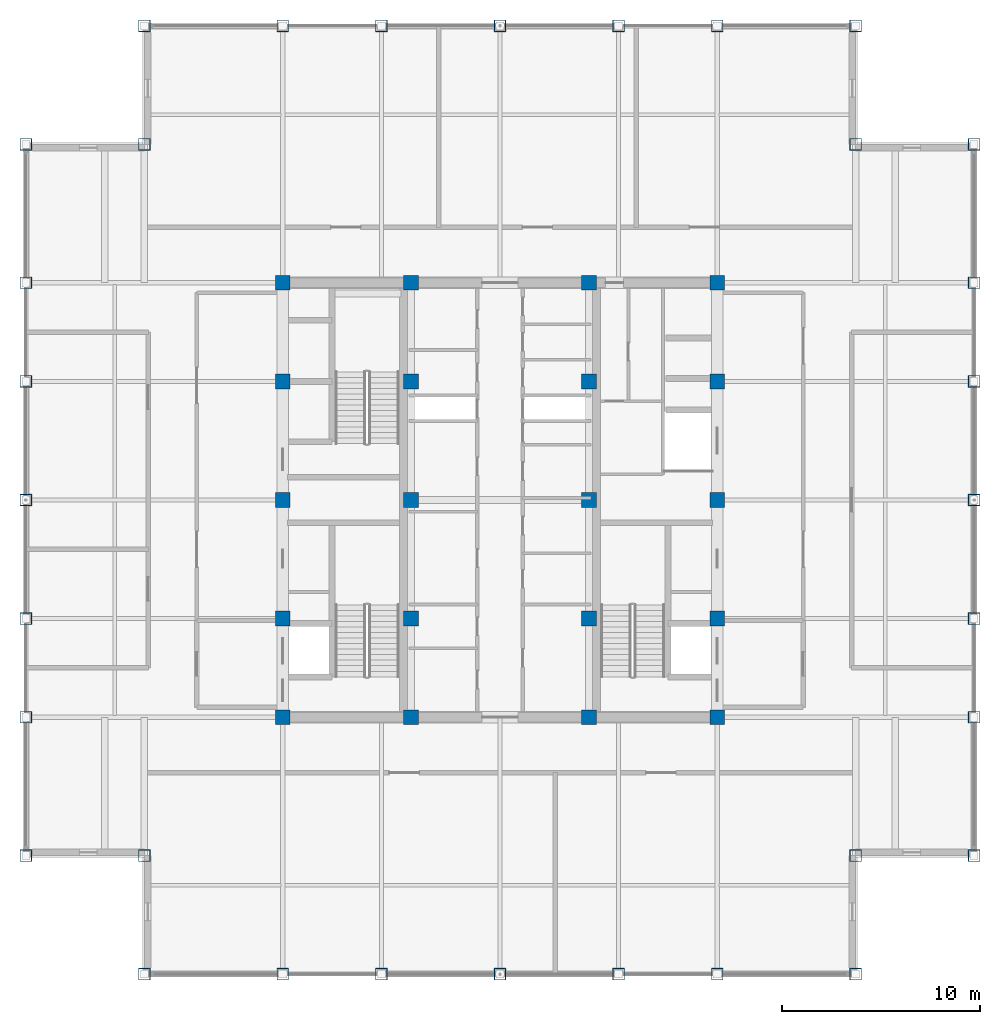
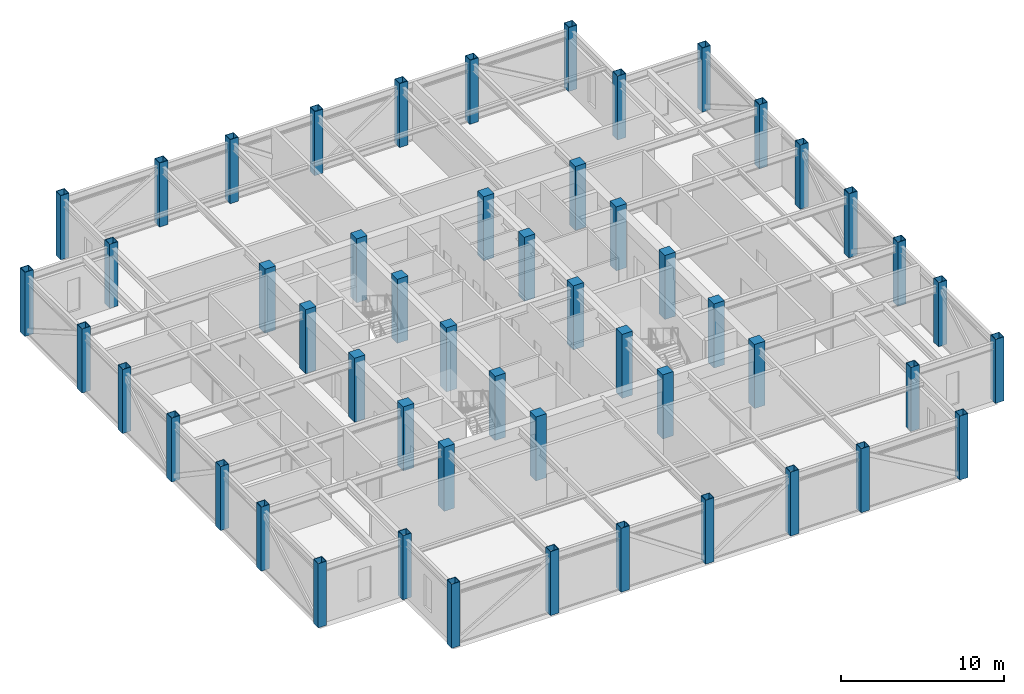
# One storey, part 1 of 27: 52 columns.
"""IFC4 building model written with IfcOpenShell, lengths in metres."""

from ifc_helpers import new_model, si_unit, direction, frame, origin, origin_2d, place, context, subcontext, project, spatial, rectangle, hollow_rectangle, extrude, source, transform, mapped, material, material_profile, profile_set, type_object, element, save


model = new_model("IFC4")

# Units and contexts
model_context = context("Model", 3, precision=1e-05, world=origin(), true_north=direction((0.0, 1.0)))
body_context = subcontext(model_context, "Body", "Model", "MODEL_VIEW")
ifc_project = project(units=[si_unit("LENGTHUNIT", "METRE"), si_unit("AREAUNIT", "SQUARE_METRE"), si_unit("VOLUMEUNIT", "CUBIC_METRE"), si_unit("PLANEANGLEUNIT", "RADIAN"), si_unit("MASSUNIT", "GRAM", prefix="KILO")], contexts=[model_context])

# Site, building, storey
site_placement = place(None, origin())
site = spatial("IfcSite", under=ifc_project, at=site_placement, CompositionType="ELEMENT")
building_placement = place(site_placement, origin())
building = spatial("IfcBuilding", under=site, at=building_placement, Name="Khorayat Bourse Tower", CompositionType="ELEMENT")
storey_placement = place(building_placement, frame((0.0, 0.0, 394.699951171875)))
storey = spatial("IfcBuildingStorey", under=building, at=storey_placement, Name="L93", CompositionType="ELEMENT", Elevation=394.699951171875)

# Columns
ifc_material_1 = material(Name="Concrete C52/65", Category="concrete")
ifc_material_profile_1 = material_profile(ifc_material_1, rectangle(XDim=0.75, YDim=0.75, at=origin_2d()), Name="RC 750x750")
ifc_profile_set_1 = profile_set([ifc_material_profile_1], Name="Concrete C52/65")
column_type_1 = type_object("IfcColumnType", Name="COL-CORE-750", PredefinedType="COLUMN", material=ifc_profile_set_1)
shared_shape_1 = source(origin(), body_context, "Body", "SweptSolid", [
    extrude(rectangle(XDim=0.75, YDim=0.75, at=origin_2d()), origin(), (0.0, 0.0, 1.0), 4.800048828125),
])
for number, where, z_axis, x_axis, name in (
    (1, (-11.0, -11.0, 0.0), (0.0, 0.0, 1.0), (1.0, 0.0, 0.0), "L93 Column 013"),
    (2, (-11.0, -6.0, 0.0), (0.0, 0.0, 1.0), (1.0, 0.0, 0.0), "L93 Column 014"),
    (3, (-11.0, 0.0, 0.0), (0.0, 0.0, 1.0), (1.0, 0.0, 0.0), "L93 Column 015"),
    (4, (-11.0, 6.0, 0.0), (0.0, 0.0, 1.0), (1.0, 0.0, 0.0), "L93 Column 016"),
    (5, (-11.0, 11.0, 0.0), (0.0, 0.0, 1.0), (1.0, 0.0, 0.0), "L93 Column 017"),
    (6, (-4.5, -11.0, 0.0), (0.0, 0.0, 1.0), (1.0, 0.0, 0.0), "L93 Column 021"),
    (7, (-4.5, -6.0, 0.0), (0.0, 0.0, 1.0), (1.0, 0.0, 0.0), "L93 Column 022"),
    (8, (-4.5, 0.0, 0.0), (0.0, 0.0, 1.0), (1.0, 0.0, 0.0), "L93 Column 023"),
    (9, (-4.5, 6.0, 0.0), (0.0, 0.0, 1.0), (1.0, 0.0, 0.0), "L93 Column 024"),
    (10, (-4.5, 11.0, 0.0), (0.0, 0.0, 1.0), (1.0, 0.0, 0.0), "L93 Column 025"),
    (11, (4.5, -11.0, 0.0), (0.0, 0.0, 1.0), (1.0, 0.0, 0.0), "L93 Column 028"),
    (12, (4.5, -6.0, 0.0), (0.0, 0.0, 1.0), (1.0, 0.0, 0.0), "L93 Column 029"),
    (13, (4.5, 0.0, 0.0), (0.0, 0.0, 1.0), (1.0, 0.0, 0.0), "L93 Column 030"),
    (14, (4.5, 6.0, 0.0), (0.0, 0.0, 1.0), (1.0, 0.0, 0.0), "L93 Column 031"),
    (15, (4.5, 11.0, 0.0), (0.0, 0.0, 1.0), (1.0, 0.0, 0.0), "L93 Column 032"),
    (16, (11.0, -11.0, 0.0), (0.0, 0.0, 1.0), (1.0, 0.0, 0.0), "L93 Column 036"),
    (17, (11.0, -6.0, 0.0), (0.0, 0.0, 1.0), (1.0, 0.0, 0.0), "L93 Column 037"),
    (18, (11.0, 0.0, 0.0), (0.0, 0.0, 1.0), (1.0, 0.0, 0.0), "L93 Column 038"),
    (19, (11.0, 6.0, 0.0), (0.0, 0.0, 1.0), (1.0, 0.0, 0.0), "L93 Column 039"),
    (20, (11.0, 11.0, 0.0), (0.0, 0.0, 1.0), (1.0, 0.0, 0.0), "L93 Column 040"),
):
    element("IfcColumn", number, at=place(storey_placement, frame(where, z_axis=z_axis, x_axis=x_axis)), inside=storey, type_object=column_type_1, Name=name, PredefinedType="COLUMN", context=body_context, shape_type="MappedRepresentation", body=[
        mapped(shared_shape_1, transform((0.0, 0.0, 0.0), scale=1.0)),
    ])
ifc_material_2 = material(Name="Steel EN 10025-2 S355J2", Category="steel")
ifc_material_profile_2 = material_profile(ifc_material_2, hollow_rectangle(XDim=0.60009765625, YDim=0.60009765625, WallThickness=0.034912109375, at=origin_2d()), Name="BOX 600x600x35")
ifc_profile_set_2 = profile_set([ifc_material_profile_2], Name="Steel EN 10025-2 S355J2")
column_type_2 = type_object("IfcColumnType", Name="COL-CROWN-600", PredefinedType="COLUMN", material=ifc_profile_set_2)
shared_shape_2 = source(origin(), body_context, "Body", "SweptSolid", [
    extrude(hollow_rectangle(XDim=0.60009765625, YDim=0.60009765625, WallThickness=0.034912109375, at=origin_2d()), origin(), (0.0, 0.0, 1.0), 4.800048828125),
])
for number, where, z_axis, x_axis, name in (
    (21, (-24.0, -18.0, 0.0), (0.0, 0.0, 1.0), (1.0, 0.0, 0.0), "L93 Column 001"),
    (22, (-24.0, -11.0, 0.0), (0.0, 0.0, 1.0), (1.0, 0.0, 0.0), "L93 Column 002"),
    (23, (-24.0, -6.0, 0.0), (0.0, 0.0, 1.0), (1.0, 0.0, 0.0), "L93 Column 003"),
    (24, (-24.0, 0.0, 0.0), (0.0, 0.0, 1.0), (1.0, 0.0, 0.0), "L93 Column 004"),
    (25, (-24.0, 6.0, 0.0), (0.0, 0.0, 1.0), (1.0, 0.0, 0.0), "L93 Column 005"),
    (26, (-24.0, 11.0, 0.0), (0.0, 0.0, 1.0), (1.0, 0.0, 0.0), "L93 Column 006"),
    (27, (-24.0, 18.0, 0.0), (0.0, 0.0, 1.0), (1.0, 0.0, 0.0), "L93 Column 007"),
    (28, (-18.0, -24.0, 0.0), (0.0, 0.0, 1.0), (1.0, 0.0, 0.0), "L93 Column 008"),
    (29, (-18.0, -18.0, 0.0), (0.0, 0.0, 1.0), (1.0, 0.0, 0.0), "L93 Column 009"),
    (30, (-18.0, 18.0, 0.0), (0.0, 0.0, 1.0), (1.0, 0.0, 0.0), "L93 Column 010"),
    (31, (-18.0, 24.0, 0.0), (0.0, 0.0, 1.0), (1.0, 0.0, 0.0), "L93 Column 011"),
    (32, (-11.0, -24.0, 0.0), (0.0, 0.0, 1.0), (1.0, 0.0, 0.0), "L93 Column 012"),
    (33, (-11.0, 24.0, 0.0), (0.0, 0.0, 1.0), (1.0, 0.0, 0.0), "L93 Column 018"),
    (34, (-6.0, -24.0, 0.0), (0.0, 0.0, 1.0), (1.0, 0.0, 0.0), "L93 Column 019"),
    (35, (-6.0, 24.0, 0.0), (0.0, 0.0, 1.0), (1.0, 0.0, 0.0), "L93 Column 020"),
    (36, (0.0, -24.0, 0.0), (0.0, 0.0, 1.0), (1.0, 0.0, 0.0), "L93 Column 026"),
    (37, (0.0, 24.0, 0.0), (0.0, 0.0, 1.0), (1.0, 0.0, 0.0), "L93 Column 027"),
    (38, (6.0, -24.0, 0.0), (0.0, 0.0, 1.0), (1.0, 0.0, 0.0), "L93 Column 033"),
    (39, (6.0, 24.0, 0.0), (0.0, 0.0, 1.0), (1.0, 0.0, 0.0), "L93 Column 034"),
    (40, (11.0, -24.0, 0.0), (0.0, 0.0, 1.0), (1.0, 0.0, 0.0), "L93 Column 035"),
    (41, (11.0, 24.0, 0.0), (0.0, 0.0, 1.0), (1.0, 0.0, 0.0), "L93 Column 041"),
    (42, (18.0, -24.0, 0.0), (0.0, 0.0, 1.0), (1.0, 0.0, 0.0), "L93 Column 042"),
    (43, (18.0, -18.0, 0.0), (0.0, 0.0, 1.0), (1.0, 0.0, 0.0), "L93 Column 043"),
    (44, (18.0, 18.0, 0.0), (0.0, 0.0, 1.0), (1.0, 0.0, 0.0), "L93 Column 044"),
    (45, (18.0, 24.0, 0.0), (0.0, 0.0, 1.0), (1.0, 0.0, 0.0), "L93 Column 045"),
    (46, (24.0, -18.0, 0.0), (0.0, 0.0, 1.0), (1.0, 0.0, 0.0), "L93 Column 046"),
    (47, (24.0, -11.0, 0.0), (0.0, 0.0, 1.0), (1.0, 0.0, 0.0), "L93 Column 047"),
    (48, (24.0, -6.0, 0.0), (0.0, 0.0, 1.0), (1.0, 0.0, 0.0), "L93 Column 048"),
    (49, (24.0, 0.0, 0.0), (0.0, 0.0, 1.0), (1.0, 0.0, 0.0), "L93 Column 049"),
    (50, (24.0, 6.0, 0.0), (0.0, 0.0, 1.0), (1.0, 0.0, 0.0), "L93 Column 050"),
    (51, (24.0, 11.0, 0.0), (0.0, 0.0, 1.0), (1.0, 0.0, 0.0), "L93 Column 051"),
    (52, (24.0, 18.0, 0.0), (0.0, 0.0, 1.0), (1.0, 0.0, 0.0), "L93 Column 052"),
):
    element("IfcColumn", number, at=place(storey_placement, frame(where, z_axis=z_axis, x_axis=x_axis)), inside=storey, type_object=column_type_2, Name=name, PredefinedType="COLUMN", context=body_context, shape_type="MappedRepresentation", body=[
        mapped(shared_shape_2, transform((0.0, 0.0, 0.0), scale=1.0)),
    ])

save(model, "model.ifc")
